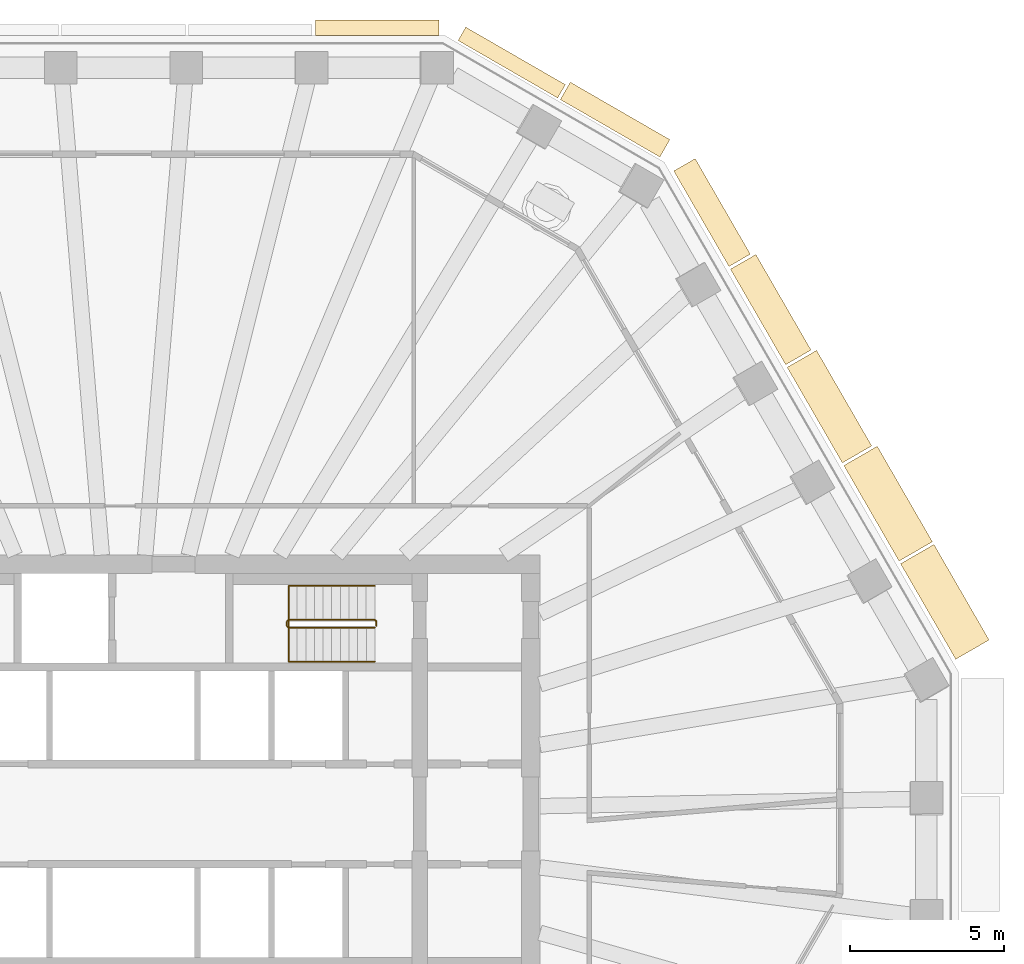
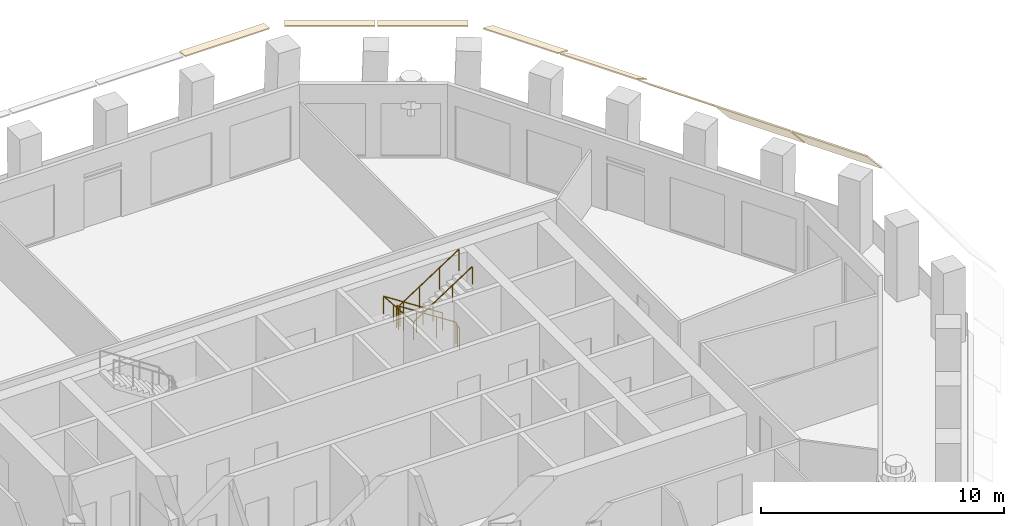
# One storey, part 10 of 12: 8 coverings, 2 railings.
"""IFC4 building model written with IfcOpenShell, lengths in metres."""

from ifc_helpers import new_model, si_unit, direction, frame, origin, origin_2d, place, context, subcontext, project, spatial, polyline, circle, outline, extrude, material, layer, layer_set, type_object, element, save


model = new_model("IFC4")

# Units and contexts
model_context = context("Model", 3, precision=1e-05, world=origin(), true_north=direction((0.0, 1.0)))
body_context = subcontext(model_context, "Body", "Model", "MODEL_VIEW")
ifc_project = project(units=[si_unit("LENGTHUNIT", "METRE"), si_unit("AREAUNIT", "SQUARE_METRE"), si_unit("VOLUMEUNIT", "CUBIC_METRE"), si_unit("PLANEANGLEUNIT", "RADIAN"), si_unit("MASSUNIT", "GRAM", prefix="KILO")], contexts=[model_context])

# Site, building, storey
site_placement = place(None, origin())
site = spatial("IfcSite", under=ifc_project, at=site_placement, CompositionType="ELEMENT")
building_placement = place(site_placement, origin())
building = spatial("IfcBuilding", under=site, at=building_placement, Name="Frailejon Research Tower", CompositionType="ELEMENT")
storey_placement = place(building_placement, frame((0.0, 0.0, 227.39990234375)))
storey = spatial("IfcBuildingStorey", under=building, at=storey_placement, Name="L49", CompositionType="ELEMENT", Elevation=227.39990234375)

# Coverings
ifc_material_1 = material(Name="Precast concrete C50/60", Category="concrete")
ifc_layer_1 = layer(ifc_material_1, 0.06005859375)
ifc_layer_set_1 = layer_set([ifc_layer_1], Name="Brim blade depth 1100")
covering_type_1 = type_object("IfcCoveringType", Name="Brim blade depth 1100", PredefinedType="CLADDING", material=ifc_layer_set_1)
covering_1_placement = place(storey_placement, frame((21.517333984375, 14.48779296875, 3.85009765625), z_axis=(0.500009728107, -0.866019787186, 0.0), x_axis=(0.866019787186, 0.500009728107, 0.0)))
element("IfcCovering", 1, at=covering_1_placement, inside=storey, type_object=covering_type_1, Name="Brim blade L49", PredefinedType="CLADDING", context=body_context, shape_type="SweptSolid", body=[
    extrude(outline(polyline([(0.0, -0.078369140625), (1.10009765625, -1.001220703125), (1.10009765625, -0.923095703125), (0.0, 0.0), (0.0, -0.078369140625)])), origin(), (0.0, 0.0, 1.0), 3.576171875),
])
ifc_material_2 = material(Name="Precast concrete C50/60", Category="concrete")
ifc_layer_2 = layer(ifc_material_2, 0.06005859375)
ifc_layer_set_2 = layer_set([ifc_layer_2], Name="Brim blade depth 1250")
covering_type_2 = type_object("IfcCoveringType", Name="Brim blade depth 1250", PredefinedType="CLADDING", material=ifc_layer_set_2)
for number, where, z_axis, x_axis, name in (
    (2, (25.193603515625, 8.12060546875, 3.85009765625), (0.499997948968, -0.866026587945, 0.0), (0.866026587945, 0.499997948968, 0.0), "Brim blade L49"),
    (3, (23.35546875, 11.30419921875, 3.85009765625), (0.499989326144, -0.86603156625, 0.0), (0.86603156625, 0.499989326144, 0.0), "Brim blade L49"),
):
    element("IfcCovering", number, at=place(storey_placement, frame(where, z_axis=z_axis, x_axis=x_axis)), inside=storey, type_object=covering_type_2, Name=name, PredefinedType="CLADDING", context=body_context, shape_type="SweptSolid", body=[
        extrude(outline(polyline([(0.0, -0.0888671875), (1.25, -1.452880859375), (1.25, -1.364013671875), (0.0, 0.0), (0.0, -0.0888671875)])), origin(), (0.0, 0.0, 1.0), 3.576171875),
    ])
ifc_material_3 = material(Name="Precast concrete C50/60", Category="concrete")
ifc_layer_3 = layer(ifc_material_3, 0.06005859375)
ifc_layer_set_3 = layer_set([ifc_layer_3], Name="Brim blade depth 500")
covering_type_3 = type_object("IfcCoveringType", Name="Brim blade depth 500", PredefinedType="CLADDING", material=ifc_layer_set_3)
covering_2_placement = place(storey_placement, frame((10.84716796875, 25.084228515625, 3.85009765625), z_axis=(0.866025010706, -0.50000068083, 0.0), x_axis=(0.50000068083, 0.866025010706, 0.0)))
element("IfcCovering", 4, at=covering_2_placement, inside=storey, type_object=covering_type_3, Name="Brim blade L49", PredefinedType="CLADDING", context=body_context, shape_type="SweptSolid", body=[
    extrude(outline(polyline([(0.0, -0.060546875), (0.5, -0.130859375), (0.5, -0.0703125), (0.0, 0.0), (0.0, -0.060546875)])), origin(), (0.0, 0.0, 1.0), 3.726806640625),
])
covering_3_placement = place(storey_placement, frame((6.21728515625, 25.25, 3.85009765625), z_axis=(1.0, 0.0, 0.0), x_axis=(0.0, 1.0, 0.0)))
element("IfcCovering", 5, at=covering_3_placement, inside=storey, type_object=covering_type_3, Name="Brim blade L49", PredefinedType="CLADDING", context=body_context, shape_type="SweptSolid", body=[
    extrude(outline(polyline([(0.0, -0.060546875), (0.5, -0.130859375), (0.5, -0.0703125), (0.0, 0.0), (0.0, -0.060546875)])), origin(), (0.0, 0.0, 1.0), 4.011474609375),
])
ifc_material_4 = material(Name="Precast concrete C50/60", Category="concrete")
ifc_layer_4 = layer(ifc_material_4, 0.06005859375)
ifc_layer_set_4 = layer_set([ifc_layer_4], Name="Brim blade depth 650")
covering_type_4 = type_object("IfcCoveringType", Name="Brim blade depth 650", PredefinedType="CLADDING", material=ifc_layer_set_4)
covering_4_placement = place(storey_placement, frame((14.161376953125, 23.1708984375, 3.85009765625), z_axis=(0.866029793251, -0.499992397145, 0.0), x_axis=(0.499992397145, 0.866029793251, 0.0)))
element("IfcCovering", 6, at=covering_4_placement, inside=storey, type_object=covering_type_4, Name="Brim blade L49", PredefinedType="CLADDING", context=body_context, shape_type="SweptSolid", body=[
    extrude(outline(polyline([(0.0, -0.0625), (0.64990234375, -0.248779296875), (0.64990234375, -0.186279296875), (0.0, 0.0), (0.0, -0.0625)])), origin(), (0.0, 0.0, 1.0), 3.726806640625),
])
ifc_material_5 = material(Name="Precast concrete C50/60", Category="concrete")
ifc_layer_5 = layer(ifc_material_5, 0.06005859375)
ifc_layer_set_5 = layer_set([ifc_layer_5], Name="Brim blade depth 800")
covering_type_5 = type_object("IfcCoveringType", Name="Brim blade depth 800", PredefinedType="CLADDING", material=ifc_layer_set_5)
covering_5_placement = place(storey_placement, frame((17.84130859375, 20.85498046875, 3.85009765625), z_axis=(0.499989326144, -0.86603156625, 0.0), x_axis=(0.86603156625, 0.499989326144, 0.0)))
element("IfcCovering", 7, at=covering_5_placement, inside=storey, type_object=covering_type_5, Name="Brim blade L49", PredefinedType="CLADDING", context=body_context, shape_type="SweptSolid", body=[
    extrude(outline(polyline([(0.0, -0.065673828125), (0.800048828125, -0.421875), (0.800048828125, -0.356201171875), (0.0, 0.0), (0.0, -0.065673828125)])), origin(), (0.0, 0.0, 1.0), 3.576171875),
])
ifc_material_6 = material(Name="Precast concrete C50/60", Category="concrete")
ifc_layer_6 = layer(ifc_material_6, 0.06005859375)
ifc_layer_set_6 = layer_set([ifc_layer_6], Name="Brim blade depth 950")
covering_type_6 = type_object("IfcCoveringType", Name="Brim blade depth 950", PredefinedType="CLADDING", material=ifc_layer_set_6)
covering_6_placement = place(storey_placement, frame((19.67919921875, 17.67138671875, 3.85009765625), z_axis=(0.500009728107, -0.866019787186, 0.0), x_axis=(0.866019787186, 0.500009728107, 0.0)))
element("IfcCovering", 8, at=covering_6_placement, inside=storey, type_object=covering_type_6, Name="Brim blade L49", PredefinedType="CLADDING", context=body_context, shape_type="SweptSolid", body=[
    extrude(outline(polyline([(0.0, -0.07080078125), (0.949951171875, -0.664306640625), (0.949951171875, -0.593505859375), (0.0, 0.0), (0.0, -0.07080078125)])), origin(), (0.0, 0.0, 1.0), 3.576171875),
])

# Railings
ifc_material_7 = material(Name="Stainless steel", Category="steel")
railing_type_1 = type_object("IfcRailingType", Name="Stair guard 1100", PredefinedType="GUARDRAIL", material=ifc_material_7)
railing_1_placement = place(storey_placement, frame((8.199951171875, 6.10009765625, 0.0)))
element("IfcRailing", 9, at=railing_1_placement, inside=storey, type_object=railing_type_1, Name="L49 ST3 stair guard 1", PredefinedType="GUARDRAIL", context=body_context, shape_type="SweptSolid", body=[
    extrude(circle(Radius=0.02392578125, at=origin_2d()), frame((0.0, 0.0, 1.076171875), z_axis=(0.0, 1.0, 0.0), x_axis=(-1.0, 0.0, 0.0)), (0.0, 0.0, 1.0), 0.14990234375),
    extrude(circle(Radius=0.02392578125, at=origin_2d()), frame((0.0, 0.14990234375, 1.076171875), z_axis=(-0.256435381639, 0.256435381639, 0.931923704005), x_axis=(-0.707106781187, -0.707106781187, 0.0)), (0.0, 0.0, 1.0), 0.195068359375),
    extrude(circle(Radius=0.02392578125, at=origin_2d()), frame((-0.050048828125, 0.199951171875, 1.2578125), z_axis=(-0.83868413941, 0.0, 0.544618136222), x_axis=(0.0, -1.0, 0.0)), (0.0, 0.0, 1.0), 3.33837890625),
    extrude(circle(Radius=0.02392578125, at=origin_2d()), frame((-2.849853515625, 0.199951171875, 3.076171875), z_axis=(-0.707106781187, -0.707106781187, 0.0), x_axis=(0.707106781187, -0.707106781187, 0.0)), (0.0, 0.0, 1.0), 0.07080078125),
    extrude(circle(Radius=0.02392578125, at=origin_2d()), frame((-2.89990234375, 0.14990234375, 3.076171875), z_axis=(0.0, -1.0, 0.0), x_axis=(1.0, 0.0, 0.0)), (0.0, 0.0, 1.0), 0.14990234375),
    extrude(circle(Radius=0.02392578125, at=origin_2d()), frame((-2.89990234375, 0.0, 3.076171875), z_axis=(0.256435381639, -0.256435381639, 0.931923704005), x_axis=(0.707106781187, 0.707106781187, 0.0)), (0.0, 0.0, 1.0), 0.195068359375),
    extrude(circle(Radius=0.02392578125, at=origin_2d()), frame((-2.849853515625, -0.050048828125, 3.2578125), z_axis=(0.83868413941, 0.0, 0.544618136222), x_axis=(0.0, 1.0, 0.0)), (0.0, 0.0, 1.0), 3.33837890625),
    extrude(circle(Radius=0.02099609375, at=origin_2d()), origin(), (0.0, 0.0, 1.0), 1.052001953125),
    extrude(circle(Radius=0.02099609375, at=origin_2d()), frame((0.0, 0.14990234375, 0.0)), (0.0, 0.0, 1.0), 1.052001953125),
    extrude(circle(Radius=0.02099609375, at=origin_2d()), frame((-0.050048828125, 0.199951171875, 0.181884765625)), (0.0, 0.0, 1.0), 1.052001953125),
    extrude(circle(Radius=0.02099609375, at=origin_2d()), frame((-0.9833984375, 0.199951171875, 0.787841796875)), (0.0, 0.0, 1.0), 1.052001953125),
    extrude(circle(Radius=0.02099609375, at=origin_2d()), frame((-1.91650390625, 0.199951171875, 1.39404296875)), (0.0, 0.0, 1.0), 1.052001953125),
    extrude(circle(Radius=0.02099609375, at=origin_2d()), frame((-2.849853515625, 0.199951171875, 2.0)), (0.0, 0.0, 1.0), 1.052001953125),
    extrude(circle(Radius=0.02099609375, at=origin_2d()), frame((-2.89990234375, 0.14990234375, 2.0)), (0.0, 0.0, 1.0), 1.052001953125),
    extrude(circle(Radius=0.02099609375, at=origin_2d()), frame((-2.89990234375, 0.0, 2.0)), (0.0, 0.0, 1.0), 1.052001953125),
    extrude(circle(Radius=0.02099609375, at=origin_2d()), frame((-2.849853515625, -0.050048828125, 2.181884765625)), (0.0, 0.0, 1.0), 1.052001953125),
    extrude(circle(Radius=0.02099609375, at=origin_2d()), frame((-1.91650390625, -0.050048828125, 2.787841796875)), (0.0, 0.0, 1.0), 1.052001953125),
    extrude(circle(Radius=0.02099609375, at=origin_2d()), frame((-0.9833984375, -0.050048828125, 3.39404296875)), (0.0, 0.0, 1.0), 1.052001953125),
    extrude(circle(Radius=0.02099609375, at=origin_2d()), frame((-0.050048828125, -0.050048828125, 4.0)), (0.0, 0.0, 1.0), 1.052001953125),
])
ifc_material_8 = material(Name="Stainless steel", Category="steel")
railing_type_2 = type_object("IfcRailingType", Name="Stair handrail 900", PredefinedType="HANDRAIL", material=ifc_material_8)
railing_2_placement = place(storey_placement, frame((8.14990234375, 7.39990234375, 0.181884765625)))
element("IfcRailing", 10, at=railing_2_placement, inside=storey, type_object=railing_type_2, Name="L49 ST3 stair handrail 1", PredefinedType="HANDRAIL", context=body_context, shape_type="SweptSolid", body=[
    extrude(circle(Radius=0.02392578125, at=origin_2d()), frame((0.0, 0.0, 0.8759765625), z_axis=(-0.83868413941, 0.0, 0.544618136222), x_axis=(0.0, -1.0, 0.0)), (0.0, 0.0, 1.0), 3.33837890625),
    extrude(circle(Radius=0.02392578125, at=origin_2d()), frame((-2.7998046875, 0.0, 2.69384765625), z_axis=(0.0, -0.997255538948, 0.074036410216), x_axis=(1.0, 0.0, 0.0)), (0.0, 0.0, 1.0), 2.456787109375),
    extrude(circle(Radius=0.02392578125, at=origin_2d()), frame((-2.7998046875, -2.449951171875, 2.8759765625), z_axis=(0.83868413941, 0.0, 0.544618136222), x_axis=(0.0, 1.0, 0.0)), (0.0, 0.0, 1.0), 3.33837890625),
    extrude(circle(Radius=0.02099609375, at=origin_2d()), origin(), (0.0, 0.0, 1.0), 0.851806640625),
    extrude(circle(Radius=0.02099609375, at=origin_2d()), frame((-0.933349609375, 0.0, 0.60595703125)), (0.0, 0.0, 1.0), 0.851806640625),
    extrude(circle(Radius=0.02099609375, at=origin_2d()), frame((-1.866455078125, 0.0, 1.212158203125)), (0.0, 0.0, 1.0), 0.851806640625),
    extrude(circle(Radius=0.02099609375, at=origin_2d()), frame((-2.7998046875, 0.0, 1.818115234375)), (0.0, 0.0, 1.0), 0.851806640625),
    extrude(circle(Radius=0.02099609375, at=origin_2d()), frame((-2.7998046875, -0.816650390625, 1.878662109375)), (0.0, 0.0, 1.0), 0.851806640625),
    extrude(circle(Radius=0.02099609375, at=origin_2d()), frame((-2.7998046875, -1.63330078125, 1.939453125)), (0.0, 0.0, 1.0), 0.851806640625),
    extrude(circle(Radius=0.02099609375, at=origin_2d()), frame((-2.7998046875, -2.449951171875, 2.0)), (0.0, 0.0, 1.0), 0.851806640625),
    extrude(circle(Radius=0.02099609375, at=origin_2d()), frame((-1.866455078125, -2.449951171875, 2.60595703125)), (0.0, 0.0, 1.0), 0.851806640625),
    extrude(circle(Radius=0.02099609375, at=origin_2d()), frame((-0.933349609375, -2.449951171875, 3.212158203125)), (0.0, 0.0, 1.0), 0.851806640625),
    extrude(circle(Radius=0.02099609375, at=origin_2d()), frame((0.0, -2.449951171875, 3.818115234375)), (0.0, 0.0, 1.0), 0.851806640625),
])

save(model, "model.ifc")
